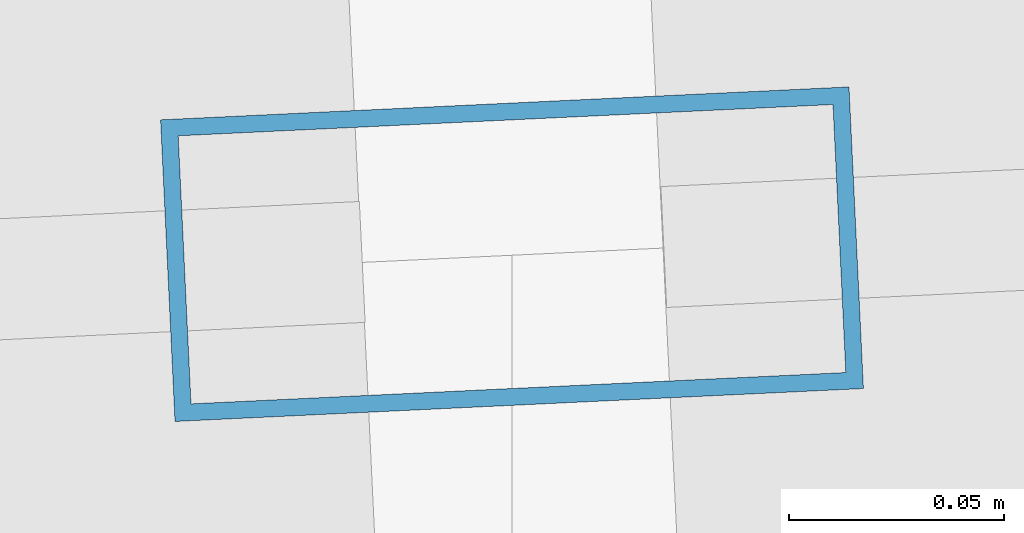
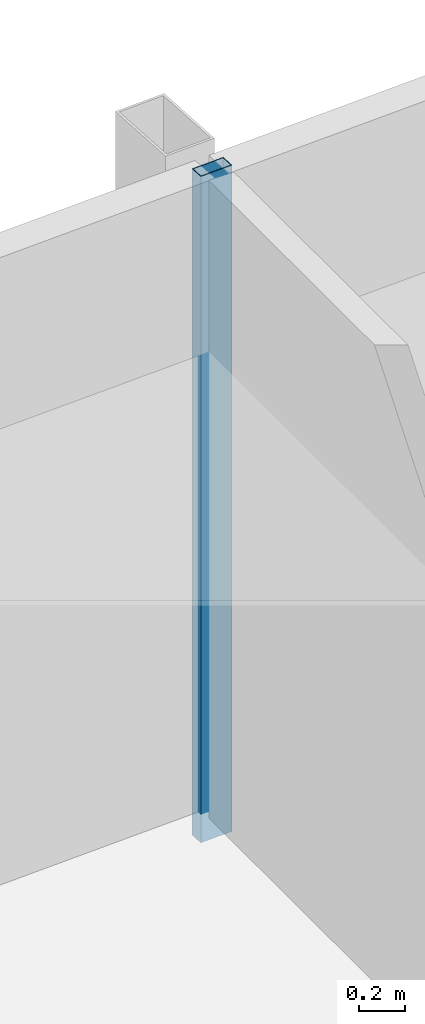
# One storey, part 21 of 38: 1 member, 1 element without a shape of its own.
"""IFC4 building model written with IfcOpenShell, lengths in metres."""

from ifc_helpers import new_model, si_unit, direction, frame, origin, origin_2d, place, context, subcontext, project, spatial, hollow_rectangle, extrude, material, material_profile, profile_set, type_object, element, aggregate, save


model = new_model("IFC4")

# Units and contexts
model_context = context("Model", 3, precision=1e-05, world=origin(), true_north=direction((0.0, 1.0)))
body_context = subcontext(model_context, "Body", "Model", "MODEL_VIEW")
ifc_project = project(units=[si_unit("LENGTHUNIT", "METRE"), si_unit("AREAUNIT", "SQUARE_METRE"), si_unit("VOLUMEUNIT", "CUBIC_METRE"), si_unit("PLANEANGLEUNIT", "RADIAN"), si_unit("MASSUNIT", "GRAM", prefix="KILO")], contexts=[model_context])

# Site, building, storey
site_placement = place(None, origin())
site = spatial("IfcSite", under=ifc_project, at=site_placement, CompositionType="ELEMENT")
building_placement = place(site_placement, origin())
building = spatial("IfcBuilding", under=site, at=building_placement, Name="Rekha Terrace Tower", CompositionType="ELEMENT")
storey_placement = place(building_placement, frame((0.0, 0.0, 198.949951171875)))
storey = spatial("IfcBuildingStorey", under=building, at=storey_placement, Name="L50", CompositionType="ELEMENT", Elevation=198.949951171875)

# Curtain wall, member
ifc_material_1 = material(Name="Aluminium framing", Category="aluminium")
curtain_wall_type = type_object("IfcCurtainWallType", Name="CW3 north unitised glazing", PredefinedType="USERDEFINED", material=ifc_material_1)
curtain_wall_placement = place(storey_placement, origin())
curtain_wall = element("IfcCurtainWall", 1, at=curtain_wall_placement, inside=storey, type_object=curtain_wall_type, Name="CW3 unitised curtain wall", ObjectType="UNITISED CURTAIN WALL", PredefinedType="USERDEFINED")
ifc_material_2 = material(Name="Aluminium mullion section", Category="aluminium")
ifc_material_profile = material_profile(ifc_material_2, hollow_rectangle(XDim=0.070068359375, YDim=0.159912109375, WallThickness=0.00390625, at=origin_2d()), Name="AL RHS 70x160")
ifc_profile_set = profile_set([ifc_material_profile], Name="Aluminium mullion section")
member_type = type_object("IfcMemberType", Name="CW3 mullion RHS 70 x 160", PredefinedType="MULLION", material=ifc_profile_set)
member_placement = place(storey_placement, frame((38.570068359375, 61.771240234375, 0.0), z_axis=(0.0, 0.0, 1.0), x_axis=(0.047758616983, -0.998858906204, 0.0)))
member = element("IfcMember", 2, at=member_placement, type_object=member_type, Name="CW3 mullion 2", PredefinedType="MULLION", context=body_context, shape_type="SweptSolid", body=[
    extrude(hollow_rectangle(XDim=0.070068359375, YDim=0.159912109375, WallThickness=0.00390625, at=origin_2d()), origin(), (0.0, 0.0, 1.0), 3.5),
])
aggregate(curtain_wall, [member])

save(model, "model.ifc")
